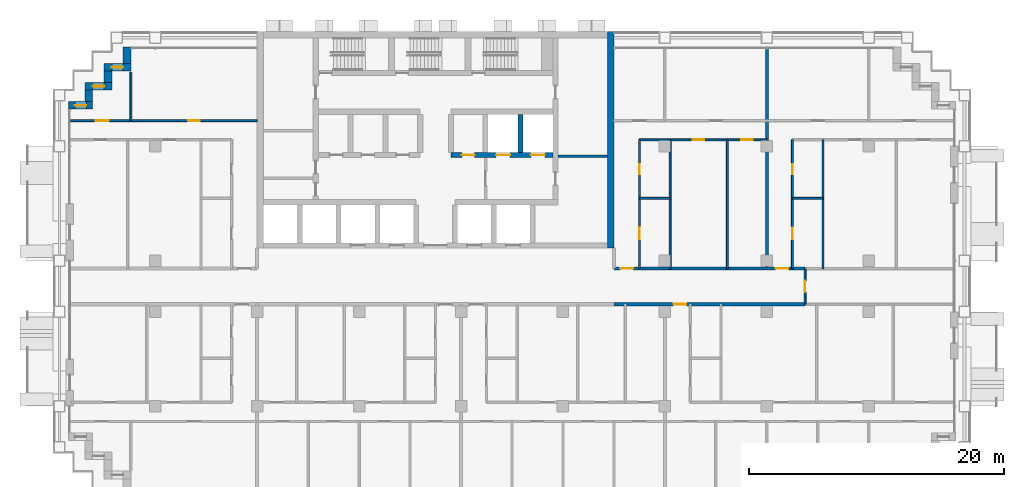
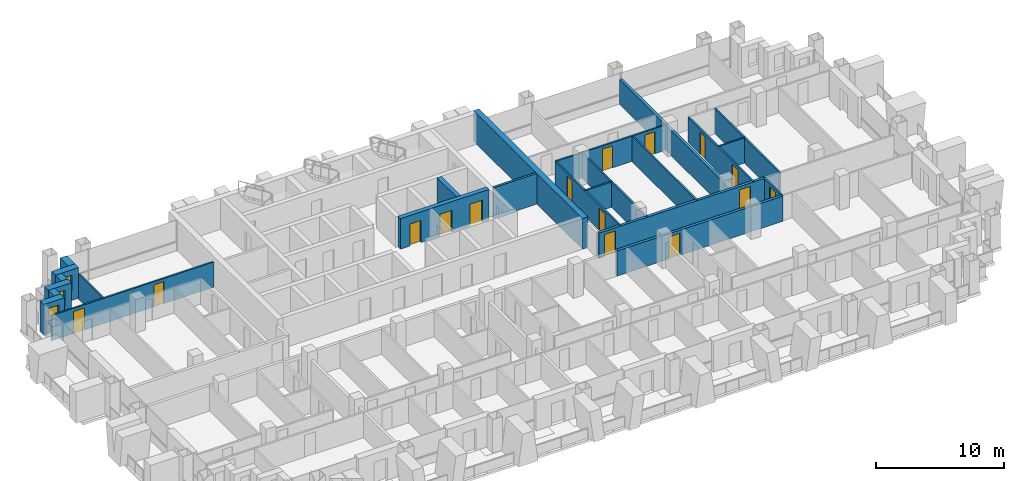
# One storey, part 12 of 18: 24 walls, 15 doors, 3 windows, 18 openings.
"""IFC4 building model written with IfcOpenShell, lengths in metres."""

from ifc_helpers import new_model, si_unit, direction, frame, frame_2d, origin, place, context, subcontext, project, spatial, rectangle, extrude, material, layer, layer_set, type_object, element, fill, save


model = new_model("IFC4")

# Units and contexts
model_context = context("Model", 3, precision=1e-05, world=origin(), true_north=direction((0.0, 1.0)))
body_context = subcontext(model_context, "Body", "Model", "MODEL_VIEW")
ifc_project = project(units=[si_unit("LENGTHUNIT", "METRE"), si_unit("AREAUNIT", "SQUARE_METRE"), si_unit("VOLUMEUNIT", "CUBIC_METRE"), si_unit("PLANEANGLEUNIT", "RADIAN"), si_unit("MASSUNIT", "GRAM", prefix="KILO")], contexts=[model_context])

# Site, building, storey
site_placement = place(None, origin())
site = spatial("IfcSite", under=ifc_project, at=site_placement, CompositionType="ELEMENT")
building_placement = place(site_placement, origin())
building = spatial("IfcBuilding", under=site, at=building_placement, Name="Vidyagriha Tower", CompositionType="ELEMENT")
storey_placement = place(building_placement, frame((0.0, 0.0, 90.300048828125)))
storey = spatial("IfcBuildingStorey", under=building, at=storey_placement, Name="L23", CompositionType="ELEMENT", Elevation=90.300048828125)

# Wall
ifc_material_1 = material(Name="Precast concrete C40/50 with brick facing", Category="concrete")
ifc_layer_1 = layer(ifc_material_1, 0.60009765625)
ifc_layer_set_1 = layer_set([ifc_layer_1], Name="Precast concrete C40/50 with brick facing")
wall_type_1 = type_object("IfcWallType", Name="Brick-faced precast wall 600", PredefinedType="STANDARD", material=ifc_layer_set_1)
wall_1_placement = place(storey_placement, frame((-24.199951171875, 18.780029296875, 0.0), z_axis=(0.0, 0.0, 1.0), x_axis=(0.0, -1.0, 0.0)))
element("IfcWall", 1, at=wall_1_placement, inside=storey, type_object=wall_type_1, Name="Stepped corner wall L23 R10", PredefinedType="STANDARD", context=body_context, shape_type="SweptSolid", body=[
    extrude(rectangle(XDim=1.280029296875, YDim=0.60009765625, at=frame_2d((0.64013671875, 0.0))), origin(), (0.0, 0.0, 1.0), 2.919921875),
])

# Wall, opening, window
wall_2_placement = place(storey_placement, frame((-23.89990234375, 17.199951171875, 0.0), z_axis=(0.0, 0.0, 1.0), x_axis=(-1.0, 0.0, 0.0)))
wall_2 = element("IfcWall", 2, at=wall_2_placement, inside=storey, type_object=wall_type_1, Name="Stepped corner wall L23 R11", PredefinedType="STANDARD", context=body_context, shape_type="SweptSolid", body=[
    extrude(rectangle(XDim=2.10009765625, YDim=0.60009765625, at=frame_2d((1.050048828125, 0.0))), origin(), (0.0, 0.0, 1.0), 2.919921875),
])
opening_1_placement = place(wall_2_placement, frame((0.60009765625, 0.0, 0.89990234375)))
opening_1 = element("IfcOpeningElement", 3, at=opening_1_placement, cuts=wall_2, Name="Opening WN1", PredefinedType="OPENING", context=body_context, shape_type="SweptSolid", body=[
    extrude(rectangle(XDim=0.89990234375, YDim=1.5, at=frame_2d((0.449951171875, 0.75))), frame((0.0, 0.31005859375, 0.0), z_axis=(0.0, -1.0, 0.0), x_axis=(1.0, 0.0, 0.0)), (0.0, 0.0, 1.0), 0.6201171875),
])
ifc_material_2 = material(Name="Aluminium and glass window", Category="aluminium")
window_type = type_object("IfcWindowType", Name="Reveal window 900x1500", PartitioningType="NOTDEFINED", PredefinedType="WINDOW", material=ifc_material_2)
window_1_placement = place(opening_1_placement, origin())
window_1 = element("IfcWindow", 4, at=window_1_placement, inside=storey, type_object=window_type, Name="Reveal window L23 R11", OverallHeight=1.5, OverallWidth=0.89990234375, PartitioningType="SINGLE_PANEL", PredefinedType="WINDOW", context=body_context, shape_type="SweptSolid", body=[
    extrude(rectangle(XDim=0.89990234375, YDim=1.5, at=frame_2d((0.449951171875, 0.75))), frame((0.0, 0.030029296875, 0.0), z_axis=(0.0, -1.0, 0.0), x_axis=(1.0, 0.0, 0.0)), (0.0, 0.0, 1.0), 0.06005859375),
])
fill(opening_1, window_1)

# Wall
wall_3_placement = place(storey_placement, frame((-25.699951171875, 16.89990234375, 0.0), z_axis=(0.0, 0.0, 1.0), x_axis=(0.0, -1.0, 0.0)))
element("IfcWall", 5, at=wall_3_placement, inside=storey, type_object=wall_type_1, Name="Stepped corner wall L23 R12", PredefinedType="STANDARD", context=body_context, shape_type="SweptSolid", body=[
    extrude(rectangle(XDim=0.89990234375, YDim=0.60009765625, at=frame_2d((0.449951171875, 0.0))), origin(), (0.0, 0.0, 1.0), 2.919921875),
])

# Wall, opening, window
wall_4_placement = place(storey_placement, frame((-25.39990234375, 15.699951171875, 0.0), z_axis=(0.0, 0.0, 1.0), x_axis=(-1.0, 0.0, 0.0)))
wall_4 = element("IfcWall", 6, at=wall_4_placement, inside=storey, type_object=wall_type_1, Name="Stepped corner wall L23 R13", PredefinedType="STANDARD", context=body_context, shape_type="SweptSolid", body=[
    extrude(rectangle(XDim=2.10009765625, YDim=0.60009765625, at=frame_2d((1.050048828125, 0.0))), origin(), (0.0, 0.0, 1.0), 2.919921875),
])
opening_2_placement = place(wall_4_placement, frame((0.60009765625, 0.0, 0.89990234375)))
opening_2 = element("IfcOpeningElement", 7, at=opening_2_placement, cuts=wall_4, Name="Opening WN1", PredefinedType="OPENING", context=body_context, shape_type="SweptSolid", body=[
    extrude(rectangle(XDim=0.89990234375, YDim=1.5, at=frame_2d((0.449951171875, 0.75))), frame((0.0, 0.31005859375, 0.0), z_axis=(0.0, -1.0, 0.0), x_axis=(1.0, 0.0, 0.0)), (0.0, 0.0, 1.0), 0.6201171875),
])
window_2_placement = place(opening_2_placement, origin())
window_2 = element("IfcWindow", 8, at=window_2_placement, inside=storey, type_object=window_type, Name="Reveal window L23 R13", OverallHeight=1.5, OverallWidth=0.89990234375, PartitioningType="SINGLE_PANEL", PredefinedType="WINDOW", context=body_context, shape_type="SweptSolid", body=[
    extrude(rectangle(XDim=0.89990234375, YDim=1.5, at=frame_2d((0.449951171875, 0.75))), frame((0.0, 0.030029296875, 0.0), z_axis=(0.0, -1.0, 0.0), x_axis=(1.0, 0.0, 0.0)), (0.0, 0.0, 1.0), 0.06005859375),
])
fill(opening_2, window_2)

# Wall
wall_5_placement = place(storey_placement, frame((-27.199951171875, 15.39990234375, 0.0), z_axis=(0.0, 0.0, 1.0), x_axis=(0.0, -1.0, 0.0)))
element("IfcWall", 9, at=wall_5_placement, inside=storey, type_object=wall_type_1, Name="Stepped corner wall L23 R14", PredefinedType="STANDARD", context=body_context, shape_type="SweptSolid", body=[
    extrude(rectangle(XDim=0.89990234375, YDim=0.60009765625, at=frame_2d((0.449951171875, 0.0))), origin(), (0.0, 0.0, 1.0), 2.919921875),
])

# Wall, opening, window
wall_6_placement = place(storey_placement, frame((-26.89990234375, 14.199951171875, 0.0), z_axis=(0.0, 0.0, 1.0), x_axis=(-1.0, 0.0, 0.0)))
wall_6 = element("IfcWall", 10, at=wall_6_placement, inside=storey, type_object=wall_type_1, Name="Stepped corner wall L23 R15", PredefinedType="STANDARD", context=body_context, shape_type="SweptSolid", body=[
    extrude(rectangle(XDim=1.880126953125, YDim=0.60009765625, at=frame_2d((0.93994140625, 0.0))), origin(), (0.0, 0.0, 1.0), 2.919921875),
])
opening_3_placement = place(wall_6_placement, frame((0.489990234375, 0.0, 0.89990234375)))
opening_3 = element("IfcOpeningElement", 11, at=opening_3_placement, cuts=wall_6, Name="Opening WN1", PredefinedType="OPENING", context=body_context, shape_type="SweptSolid", body=[
    extrude(rectangle(XDim=0.89990234375, YDim=1.5, at=frame_2d((0.449951171875, 0.75))), frame((0.0, 0.31005859375, 0.0), z_axis=(0.0, -1.0, 0.0), x_axis=(1.0, 0.0, 0.0)), (0.0, 0.0, 1.0), 0.6201171875),
])
window_3_placement = place(opening_3_placement, origin())
window_3 = element("IfcWindow", 12, at=window_3_placement, inside=storey, type_object=window_type, Name="Reveal window L23 R15", OverallHeight=1.5, OverallWidth=0.89990234375, PartitioningType="SINGLE_PANEL", PredefinedType="WINDOW", context=body_context, shape_type="SweptSolid", body=[
    extrude(rectangle(XDim=0.89990234375, YDim=1.5, at=frame_2d((0.449951171875, 0.75))), frame((0.0, 0.030029296875, 0.0), z_axis=(0.0, -1.0, 0.0), x_axis=(1.0, 0.0, 0.0)), (0.0, 0.0, 1.0), 0.06005859375),
])
fill(opening_3, window_3)

# Wall, openings, doors
ifc_material_3 = material(Name="Concrete C60/75", Category="concrete")
ifc_layer_2 = layer(ifc_material_3, 0.39990234375)
ifc_layer_set_2 = layer_set([ifc_layer_2], Name="Concrete C60/75")
wall_type_2 = type_object("IfcWallType", Name="Core shear wall 400 mm", PredefinedType="SHEAR", material=ifc_layer_set_2)
wall_7_placement = place(storey_placement, frame((1.199951171875, 10.300048828125, 0.0)))
wall_7 = element("IfcWall", 13, at=wall_7_placement, inside=storey, type_object=wall_type_2, Name="Core row N front wall", PredefinedType="SHEAR", context=body_context, shape_type="SweptSolid", body=[
    extrude(rectangle(XDim=8.0, YDim=0.39990234375, at=frame_2d((4.0, 0.0))), origin(), (0.0, 0.0, 1.0), 2.919921875),
])
opening_4_placement = place(wall_7_placement, frame((3.550048828125, 0.0, 0.0)))
opening_4 = element("IfcOpeningElement", 14, at=opening_4_placement, cuts=wall_7, Name="Opening LD23-05", PredefinedType="OPENING", context=body_context, shape_type="SweptSolid", body=[
    extrude(rectangle(XDim=1.10009765625, YDim=2.10009765625, at=frame_2d((0.550048828125, 1.050048828125))), frame((0.0, 0.2099609375, 0.0), z_axis=(0.0, -1.0, 0.0), x_axis=(1.0, 0.0, 0.0)), (0.0, 0.0, 1.0), 0.419921875),
])
opening_5_placement = place(wall_7_placement, frame((6.283203125, 0.0, 0.0)))
opening_5 = element("IfcOpeningElement", 15, at=opening_5_placement, cuts=wall_7, Name="Opening LD23-06", PredefinedType="OPENING", context=body_context, shape_type="SweptSolid", body=[
    extrude(rectangle(XDim=1.10009765625, YDim=2.10009765625, at=frame_2d((0.550048828125, 1.050048828125))), frame((0.0, 0.2099609375, 0.0), z_axis=(0.0, -1.0, 0.0), x_axis=(1.0, 0.0, 0.0)), (0.0, 0.0, 1.0), 0.419921875),
])
opening_6_placement = place(wall_7_placement, frame((0.86669921875, 0.0, 0.0)))
opening_6 = element("IfcOpeningElement", 16, at=opening_6_placement, cuts=wall_7, Name="Opening D23-05", PredefinedType="OPENING", context=body_context, shape_type="SweptSolid", body=[
    extrude(rectangle(XDim=1.0, YDim=2.10009765625, at=frame_2d((0.5, 1.050048828125))), frame((0.0, 0.2099609375, 0.0), z_axis=(0.0, -1.0, 0.0), x_axis=(1.0, 0.0, 0.0)), (0.0, 0.0, 1.0), 0.419921875),
])
ifc_material_4 = material(Name="Hollow metal door leaf")
door_type_1 = type_object("IfcDoorType", Name="Core room door 1000 x 2100 mm EI 60", OperationType="NOTDEFINED", PredefinedType="DOOR", material=ifc_material_4)
door_1_placement = place(opening_6_placement, frame((1.0, 0.0, 0.0), z_axis=(0.0, 0.0, 1.0), x_axis=(-1.0, 0.0, 0.0)))
door_1 = element("IfcDoor", 17, at=door_1_placement, inside=storey, type_object=door_type_1, Name="Door Communications Room 23.17", OperationType="SINGLE_SWING_LEFT", OverallHeight=2.10009765625, OverallWidth=1.0, PredefinedType="DOOR", context=body_context, shape_type="SweptSolid", body=[
    extrude(rectangle(XDim=1.0, YDim=2.10009765625, at=frame_2d((0.5, 1.050048828125))), frame((0.0, 0.02490234375, 0.0), z_axis=(0.0, -1.0, 0.0), x_axis=(1.0, 0.0, 0.0)), (0.0, 0.0, 1.0), 0.050048828125),
])
fill(opening_6, door_1)
ifc_material_5 = material(Name="Stainless steel sliding door panel", Category="steel")
door_type_2 = type_object("IfcDoorType", Name="Lift landing door 1100 x 2100 mm EI 90", OperationType="NOTDEFINED", PredefinedType="DOOR", material=ifc_material_5)
door_2_placement = place(opening_4_placement, origin())
door_2 = element("IfcDoor", 18, at=door_2_placement, inside=storey, type_object=door_type_2, Name="Landing door FF1 L23", OperationType="SLIDING_TO_LEFT", OverallHeight=2.10009765625, OverallWidth=1.10009765625, PredefinedType="DOOR", context=body_context, shape_type="SweptSolid", body=[
    extrude(rectangle(XDim=1.10009765625, YDim=2.10009765625, at=frame_2d((0.550048828125, 1.050048828125))), frame((0.0, 0.02490234375, 0.0), z_axis=(0.0, -1.0, 0.0), x_axis=(1.0, 0.0, 0.0)), (0.0, 0.0, 1.0), 0.050048828125),
])
fill(opening_4, door_2)
door_3_placement = place(opening_5_placement, origin())
door_3 = element("IfcDoor", 19, at=door_3_placement, inside=storey, type_object=door_type_2, Name="Landing door FF2 L23", OperationType="SLIDING_TO_LEFT", OverallHeight=2.10009765625, OverallWidth=1.10009765625, PredefinedType="DOOR", context=body_context, shape_type="SweptSolid", body=[
    extrude(rectangle(XDim=1.10009765625, YDim=2.10009765625, at=frame_2d((0.550048828125, 1.050048828125))), frame((0.0, 0.02490234375, 0.0), z_axis=(0.0, -1.0, 0.0), x_axis=(1.0, 0.0, 0.0)), (0.0, 0.0, 1.0), 0.050048828125),
])
fill(opening_5, door_3)

# Walls
wall_8_placement = place(storey_placement, frame((6.666748046875, 10.5, 0.0), z_axis=(0.0, 0.0, 1.0), x_axis=(0.0, 1.0, 0.0)))
element("IfcWall", 20, at=wall_8_placement, inside=storey, type_object=wall_type_2, Name="Core bay wall N6", PredefinedType="SHEAR", context=body_context, shape_type="SweptSolid", body=[
    extrude(rectangle(XDim=3.0, YDim=0.39990234375, at=frame_2d((1.5, 0.0))), origin(), (0.0, 0.0, 1.0), 2.919921875),
])
ifc_material_6 = material(Name="Concrete C60/75", Category="concrete")
ifc_layer_3 = layer(ifc_material_6, 0.5)
ifc_layer_set_3 = layer_set([ifc_layer_3], Name="Concrete C60/75")
wall_type_3 = type_object("IfcWallType", Name="Core shear wall 500 mm", PredefinedType="SHEAR", material=ifc_layer_set_3)
wall_9_placement = place(storey_placement, frame((13.75, 3.0, 0.0), z_axis=(0.0, 0.0, 1.0), x_axis=(0.0, 1.0, 0.0)))
element("IfcWall", 21, at=wall_9_placement, inside=storey, type_object=wall_type_3, Name="Core east wall", PredefinedType="SHEAR", context=body_context, shape_type="SweptSolid", body=[
    extrude(rectangle(XDim=17.0, YDim=0.5, at=frame_2d((8.5, 0.0))), origin(), (0.0, 0.0, 1.0), 2.919921875),
])

# Wall, opening, door
ifc_material_7 = material(Name="Fired clay brick masonry", Category="masonry")
ifc_layer_4 = layer(ifc_material_7, 0.25)
ifc_layer_set_4 = layer_set([ifc_layer_4], Name="Fired clay brick masonry")
wall_type_4 = type_object("IfcWallType", Name="Fired clay brick corridor wall 250", PredefinedType="PARTITIONING", material=ifc_layer_set_4)
wall_10_placement = place(storey_placement, frame((29.0, -1.39990234375, 0.0), z_axis=(0.0, 0.0, 1.0), x_axis=(-1.0, 0.0, 0.0)))
wall_10 = element("IfcWall", 22, at=wall_10_placement, inside=storey, type_object=wall_type_4, Name="Wall all-L23-w081", PredefinedType="PARTITIONING", context=body_context, shape_type="SweptSolid", body=[
    extrude(rectangle(XDim=15.0, YDim=0.25, at=frame_2d((7.5, 0.0))), origin(), (0.0, 0.0, 1.0), 2.39990234375),
])
opening_7_placement = place(wall_10_placement, frame((9.31103515625, 0.0, 0.0)))
opening_7 = element("IfcOpeningElement", 23, at=opening_7_placement, cuts=wall_10, Name="Opening D23-52", PredefinedType="OPENING", context=body_context, shape_type="SweptSolid", body=[
    extrude(rectangle(XDim=1.0, YDim=2.10009765625, at=frame_2d((0.5, 1.050048828125))), frame((0.0, 0.135009765625, 0.0), z_axis=(0.0, -1.0, 0.0), x_axis=(1.0, 0.0, 0.0)), (0.0, 0.0, 1.0), 0.27001953125),
])
ifc_material_8 = material(Name="Fire-rated timber door leaf EI 60", Category="wood")
door_type_3 = type_object("IfcDoorType", Name="Flat entrance fire door 1000x2100", OperationType="NOTDEFINED", PredefinedType="DOOR", material=ifc_material_8)
door_4_placement = place(opening_7_placement, origin())
door_4 = element("IfcDoor", 24, at=door_4_placement, inside=storey, type_object=door_type_3, Name="Door D23-52", OperationType="SINGLE_SWING_RIGHT", OverallHeight=2.10009765625, OverallWidth=1.0, PredefinedType="DOOR", context=body_context, shape_type="SweptSolid", body=[
    extrude(rectangle(XDim=1.0, YDim=2.10009765625, at=frame_2d((0.5, 1.050048828125))), frame((0.0, 0.02490234375, 0.0), z_axis=(0.0, -1.0, 0.0), x_axis=(1.0, 0.0, 0.0)), (0.0, 0.0, 1.0), 0.050048828125),
])
fill(opening_7, door_4)

# Wall, openings, doors
wall_11_placement = place(storey_placement, frame((14.0, 1.39990234375, 0.0)))
wall_11 = element("IfcWall", 25, at=wall_11_placement, inside=storey, type_object=wall_type_4, Name="Wall all-L23-w127", PredefinedType="PARTITIONING", context=body_context, shape_type="SweptSolid", body=[
    extrude(rectangle(XDim=15.0, YDim=0.25, at=frame_2d((7.5, 0.0))), origin(), (0.0, 0.0, 1.0), 2.39990234375),
])
opening_8_placement = place(wall_11_placement, frame((0.5, 0.0, 0.0)))
opening_8 = element("IfcOpeningElement", 26, at=opening_8_placement, cuts=wall_11, Name="Opening D23-66", PredefinedType="OPENING", context=body_context, shape_type="SweptSolid", body=[
    extrude(rectangle(XDim=1.0, YDim=2.10009765625, at=frame_2d((0.5, 1.050048828125))), frame((0.0, 0.135009765625, 0.0), z_axis=(0.0, -1.0, 0.0), x_axis=(1.0, 0.0, 0.0)), (0.0, 0.0, 1.0), 0.27001953125),
])
opening_9_placement = place(wall_11_placement, frame((12.68896484375, 0.0, 0.0)))
opening_9 = element("IfcOpeningElement", 27, at=opening_9_placement, cuts=wall_11, Name="Opening D23-73", PredefinedType="OPENING", context=body_context, shape_type="SweptSolid", body=[
    extrude(rectangle(XDim=1.0, YDim=2.10009765625, at=frame_2d((0.5, 1.050048828125))), frame((0.0, 0.135009765625, 0.0), z_axis=(0.0, -1.0, 0.0), x_axis=(1.0, 0.0, 0.0)), (0.0, 0.0, 1.0), 0.27001953125),
])
door_5_placement = place(opening_8_placement, origin())
door_5 = element("IfcDoor", 28, at=door_5_placement, inside=storey, type_object=door_type_3, Name="Door D23-66", OperationType="SINGLE_SWING_LEFT", OverallHeight=2.10009765625, OverallWidth=1.0, PredefinedType="DOOR", context=body_context, shape_type="SweptSolid", body=[
    extrude(rectangle(XDim=1.0, YDim=2.10009765625, at=frame_2d((0.5, 1.050048828125))), frame((0.0, 0.02490234375, 0.0), z_axis=(0.0, -1.0, 0.0), x_axis=(1.0, 0.0, 0.0)), (0.0, 0.0, 1.0), 0.050048828125),
])
fill(opening_8, door_5)
door_6_placement = place(opening_9_placement, origin())
door_6 = element("IfcDoor", 29, at=door_6_placement, inside=storey, type_object=door_type_3, Name="Door D23-73", OperationType="SINGLE_SWING_LEFT", OverallHeight=2.10009765625, OverallWidth=1.0, PredefinedType="DOOR", context=body_context, shape_type="SweptSolid", body=[
    extrude(rectangle(XDim=1.0, YDim=2.10009765625, at=frame_2d((0.5, 1.050048828125))), frame((0.0, 0.02490234375, 0.0), z_axis=(0.0, -1.0, 0.0), x_axis=(1.0, 0.0, 0.0)), (0.0, 0.0, 1.0), 0.050048828125),
])
fill(opening_9, door_6)

# Wall
ifc_material_9 = material(Name="Fired clay brick masonry", Category="masonry")
ifc_layer_5 = layer(ifc_material_9, 0.25)
ifc_layer_set_5 = layer_set([ifc_layer_5], Name="Fired clay brick masonry")
wall_type_5 = type_object("IfcWallType", Name="Fired clay brick demising wall 250", PredefinedType="PARTITIONING", material=ifc_layer_set_5)
wall_12_placement = place(storey_placement, frame((26.0, 18.62109375, 0.0), z_axis=(0.0, 0.0, 1.0), x_axis=(0.0, -1.0, 0.0)))
element("IfcWall", 30, at=wall_12_placement, inside=storey, type_object=wall_type_5, Name="Wall all-L23-w126", PredefinedType="PARTITIONING", context=body_context, shape_type="SweptSolid", body=[
    extrude(rectangle(XDim=17.22119140625, YDim=0.25, at=frame_2d((8.610595703125, 0.0))), origin(), (0.0, 0.0, 1.0), 2.39990234375),
])

# Wall, openings, doors
ifc_material_10 = material(Name="Gypsum board partition")
ifc_layer_6 = layer(ifc_material_10, 0.14990234375)
ifc_layer_set_6 = layer_set([ifc_layer_6], Name="Gypsum board partition")
wall_type_6 = type_object("IfcWallType", Name="Gypsum board partition 150", PredefinedType="PARTITIONING", material=ifc_layer_set_6)
wall_13_placement = place(storey_placement, frame((-28.6201171875, 13.0, 0.0)))
wall_13 = element("IfcWall", 31, at=wall_13_placement, inside=storey, type_object=wall_type_6, Name="Wall all-L23-w092", PredefinedType="PARTITIONING", context=body_context, shape_type="SweptSolid", body=[
    extrude(rectangle(XDim=14.6201171875, YDim=0.14990234375, at=frame_2d((7.31005859375, 0.0))), origin(), (0.0, 0.0, 1.0), 2.39990234375),
])
opening_10_placement = place(wall_13_placement, frame((1.969970703125, 0.0, 0.0)))
opening_10 = element("IfcOpeningElement", 32, at=opening_10_placement, cuts=wall_13, Name="Opening D23-57", PredefinedType="OPENING", context=body_context, shape_type="SweptSolid", body=[
    extrude(rectangle(XDim=1.0, YDim=2.10009765625, at=frame_2d((0.5, 1.050048828125))), frame((0.0, 0.0849609375, 0.0), z_axis=(0.0, -1.0, 0.0), x_axis=(1.0, 0.0, 0.0)), (0.0, 0.0, 1.0), 0.169921875),
])
opening_11_placement = place(wall_13_placement, frame((9.219970703125, 0.0, 0.0)))
opening_11 = element("IfcOpeningElement", 33, at=opening_11_placement, cuts=wall_13, Name="Opening D23-58", PredefinedType="OPENING", context=body_context, shape_type="SweptSolid", body=[
    extrude(rectangle(XDim=0.89990234375, YDim=2.10009765625, at=frame_2d((0.449951171875, 1.050048828125))), frame((0.0, 0.0849609375, 0.0), z_axis=(0.0, -1.0, 0.0), x_axis=(1.0, 0.0, 0.0)), (0.0, 0.0, 1.0), 0.169921875),
])
ifc_material_11 = material(Name="Timber door leaf", Category="wood")
door_type_4 = type_object("IfcDoorType", Name="Room door 1000x2100", OperationType="NOTDEFINED", PredefinedType="DOOR", material=ifc_material_11)
door_7_placement = place(opening_10_placement, origin())
door_7 = element("IfcDoor", 34, at=door_7_placement, inside=storey, type_object=door_type_4, Name="Door D23-57", OperationType="SINGLE_SWING_RIGHT", OverallHeight=2.10009765625, OverallWidth=1.0, PredefinedType="DOOR", context=body_context, shape_type="SweptSolid", body=[
    extrude(rectangle(XDim=1.0, YDim=2.10009765625, at=frame_2d((0.5, 1.050048828125))), frame((0.0, 0.02490234375, 0.0), z_axis=(0.0, -1.0, 0.0), x_axis=(1.0, 0.0, 0.0)), (0.0, 0.0, 1.0), 0.050048828125),
])
fill(opening_10, door_7)
ifc_material_12 = material(Name="Timber door leaf", Category="wood")
door_type_5 = type_object("IfcDoorType", Name="Room door 900x2100", OperationType="NOTDEFINED", PredefinedType="DOOR", material=ifc_material_12)
door_8_placement = place(opening_11_placement, origin())
door_8 = element("IfcDoor", 35, at=door_8_placement, inside=storey, type_object=door_type_5, Name="Door D23-58", OperationType="SINGLE_SWING_RIGHT", OverallHeight=2.10009765625, OverallWidth=0.89990234375, PredefinedType="DOOR", context=body_context, shape_type="SweptSolid", body=[
    extrude(rectangle(XDim=0.89990234375, YDim=2.10009765625, at=frame_2d((0.449951171875, 1.050048828125))), frame((0.0, 0.02490234375, 0.0), z_axis=(0.0, -1.0, 0.0), x_axis=(1.0, 0.0, 0.0)), (0.0, 0.0, 1.0), 0.050048828125),
])
fill(opening_11, door_8)

# Walls
wall_14_placement = place(storey_placement, frame((-23.89990234375, 16.820068359375, 0.0), z_axis=(0.0, 0.0, 1.0), x_axis=(0.0, -1.0, 0.0)))
element("IfcWall", 36, at=wall_14_placement, inside=storey, type_object=wall_type_6, Name="Wall all-L23-w095", PredefinedType="PARTITIONING", context=body_context, shape_type="SweptSolid", body=[
    extrude(rectangle(XDim=3.820068359375, YDim=0.14990234375, at=frame_2d((1.91015625, 0.0))), origin(), (0.0, 0.0, 1.0), 2.39990234375),
])
wall_15_placement = place(storey_placement, frame((16.0, 6.89990234375, 0.0)))
element("IfcWall", 37, at=wall_15_placement, inside=storey, type_object=wall_type_6, Name="Wall all-L23-w101", PredefinedType="PARTITIONING", context=body_context, shape_type="SweptSolid", body=[
    extrude(rectangle(XDim=2.39990234375, YDim=0.14990234375, at=frame_2d((1.199951171875, 0.0))), origin(), (0.0, 0.0, 1.0), 2.39990234375),
])
for number, where, z_axis, x_axis, name in (
    (38, (18.39990234375, 11.5, 0.0), (0.0, 0.0, 1.0), (0.0, -1.0, 0.0), "Wall all-L23-w102"),
    (39, (22.89990234375, 11.5, 0.0), (0.0, 0.0, 1.0), (0.0, -1.0, 0.0), "Wall all-L23-w103"),
):
    element("IfcWall", number, at=place(storey_placement, frame(where, z_axis=z_axis, x_axis=x_axis)), inside=storey, type_object=wall_type_6, Name=name, PredefinedType="PARTITIONING", context=body_context, shape_type="SweptSolid", body=[
        extrude(rectangle(XDim=10.10009765625, YDim=0.14990234375, at=frame_2d((5.050048828125, 0.0))), origin(), (0.0, 0.0, 1.0), 2.39990234375),
    ])

# Wall, openings, doors
wall_16_placement = place(storey_placement, frame((26.0, 11.5, 0.0), z_axis=(0.0, 0.0, 1.0), x_axis=(-1.0, 0.0, 0.0)))
wall_16 = element("IfcWall", 40, at=wall_16_placement, inside=storey, type_object=wall_type_6, Name="Wall all-L23-w104", PredefinedType="PARTITIONING", context=body_context, shape_type="SweptSolid", body=[
    extrude(rectangle(XDim=10.0, YDim=0.14990234375, at=frame_2d((5.0, 0.0))), origin(), (0.0, 0.0, 1.0), 2.39990234375),
])
opening_12_placement = place(wall_16_placement, frame((4.89990234375, 0.0, 0.0)))
opening_12 = element("IfcOpeningElement", 41, at=opening_12_placement, cuts=wall_16, Name="Opening D23-62", PredefinedType="OPENING", context=body_context, shape_type="SweptSolid", body=[
    extrude(rectangle(XDim=0.89990234375, YDim=2.10009765625, at=frame_2d((0.449951171875, 1.050048828125))), frame((0.0, 0.0849609375, 0.0), z_axis=(0.0, -1.0, 0.0), x_axis=(1.0, 0.0, 0.0)), (0.0, 0.0, 1.0), 0.169921875),
])
opening_13_placement = place(wall_16_placement, frame((1.10009765625, 0.0, 0.0)))
opening_13 = element("IfcOpeningElement", 42, at=opening_13_placement, cuts=wall_16, Name="Opening D23-63", PredefinedType="OPENING", context=body_context, shape_type="SweptSolid", body=[
    extrude(rectangle(XDim=0.89990234375, YDim=2.10009765625, at=frame_2d((0.449951171875, 1.050048828125))), frame((0.0, 0.0849609375, 0.0), z_axis=(0.0, -1.0, 0.0), x_axis=(1.0, 0.0, 0.0)), (0.0, 0.0, 1.0), 0.169921875),
])
door_9_placement = place(opening_12_placement, origin())
door_9 = element("IfcDoor", 43, at=door_9_placement, inside=storey, type_object=door_type_5, Name="Door D23-62", OperationType="SINGLE_SWING_RIGHT", OverallHeight=2.10009765625, OverallWidth=0.89990234375, PredefinedType="DOOR", context=body_context, shape_type="SweptSolid", body=[
    extrude(rectangle(XDim=0.89990234375, YDim=2.10009765625, at=frame_2d((0.449951171875, 1.050048828125))), frame((0.0, 0.02490234375, 0.0), z_axis=(0.0, -1.0, 0.0), x_axis=(1.0, 0.0, 0.0)), (0.0, 0.0, 1.0), 0.050048828125),
])
fill(opening_12, door_9)
door_10_placement = place(opening_13_placement, origin())
door_10 = element("IfcDoor", 44, at=door_10_placement, inside=storey, type_object=door_type_5, Name="Door D23-63", OperationType="SINGLE_SWING_RIGHT", OverallHeight=2.10009765625, OverallWidth=0.89990234375, PredefinedType="DOOR", context=body_context, shape_type="SweptSolid", body=[
    extrude(rectangle(XDim=0.89990234375, YDim=2.10009765625, at=frame_2d((0.449951171875, 1.050048828125))), frame((0.0, 0.02490234375, 0.0), z_axis=(0.0, -1.0, 0.0), x_axis=(1.0, 0.0, 0.0)), (0.0, 0.0, 1.0), 0.050048828125),
])
fill(opening_13, door_10)

# Walls
wall_17_placement = place(storey_placement, frame((28.0, 6.89990234375, 0.0)))
element("IfcWall", 45, at=wall_17_placement, inside=storey, type_object=wall_type_6, Name="Wall all-L23-w115", PredefinedType="PARTITIONING", context=body_context, shape_type="SweptSolid", body=[
    extrude(rectangle(XDim=2.39990234375, YDim=0.14990234375, at=frame_2d((1.199951171875, 0.0))), origin(), (0.0, 0.0, 1.0), 2.39990234375),
])
wall_18_placement = place(storey_placement, frame((30.39990234375, 11.5, 0.0), z_axis=(0.0, 0.0, 1.0), x_axis=(0.0, -1.0, 0.0)))
element("IfcWall", 46, at=wall_18_placement, inside=storey, type_object=wall_type_6, Name="Wall all-L23-w116", PredefinedType="PARTITIONING", context=body_context, shape_type="SweptSolid", body=[
    extrude(rectangle(XDim=10.10009765625, YDim=0.14990234375, at=frame_2d((5.050048828125, 0.0))), origin(), (0.0, 0.0, 1.0), 2.39990234375),
])

# Wall, opening, door
wall_19_placement = place(storey_placement, frame((29.0, -1.39990234375, 0.0), z_axis=(0.0, 0.0, 1.0), x_axis=(0.0, 1.0, 0.0)))
wall_19 = element("IfcWall", 47, at=wall_19_placement, inside=storey, type_object=wall_type_6, Name="Wall all-L23-w129", PredefinedType="PARTITIONING", context=body_context, shape_type="SweptSolid", body=[
    extrude(rectangle(XDim=2.7998046875, YDim=0.14990234375, at=frame_2d((1.39990234375, 0.0))), origin(), (0.0, 0.0, 1.0), 2.39990234375),
])
opening_14_placement = place(wall_19_placement, frame((0.949951171875, 0.0, 0.0)))
opening_14 = element("IfcOpeningElement", 48, at=opening_14_placement, cuts=wall_19, Name="Opening D23-74", PredefinedType="OPENING", context=body_context, shape_type="SweptSolid", body=[
    extrude(rectangle(XDim=0.89990234375, YDim=2.10009765625, at=frame_2d((0.449951171875, 1.050048828125))), frame((0.0, 0.0849609375, 0.0), z_axis=(0.0, -1.0, 0.0), x_axis=(1.0, 0.0, 0.0)), (0.0, 0.0, 1.0), 0.169921875),
])
door_11_placement = place(opening_14_placement, origin())
door_11 = element("IfcDoor", 49, at=door_11_placement, inside=storey, type_object=door_type_5, Name="Door D23-74", OperationType="SINGLE_SWING_RIGHT", OverallHeight=2.10009765625, OverallWidth=0.89990234375, PredefinedType="DOOR", context=body_context, shape_type="SweptSolid", body=[
    extrude(rectangle(XDim=0.89990234375, YDim=2.10009765625, at=frame_2d((0.449951171875, 1.050048828125))), frame((0.0, 0.02490234375, 0.0), z_axis=(0.0, -1.0, 0.0), x_axis=(1.0, 0.0, 0.0)), (0.0, 0.0, 1.0), 0.050048828125),
])
fill(opening_14, door_11)

# Wall, openings, doors
ifc_material_13 = material(Name="Moisture resistant gypsum board partition")
ifc_layer_7 = layer(ifc_material_13, 0.14990234375)
ifc_layer_set_7 = layer_set([ifc_layer_7], Name="Moisture resistant gypsum board partition")
wall_type_7 = type_object("IfcWallType", Name="Gypsum board wet-area partition 150", PredefinedType="PARTITIONING", material=ifc_layer_set_7)
wall_20_placement = place(storey_placement, frame((16.0, 11.5, 0.0), z_axis=(0.0, 0.0, 1.0), x_axis=(0.0, -1.0, 0.0)))
wall_20 = element("IfcWall", 50, at=wall_20_placement, inside=storey, type_object=wall_type_7, Name="Wall all-L23-w098", PredefinedType="PARTITIONING", context=body_context, shape_type="SweptSolid", body=[
    extrude(rectangle(XDim=10.10009765625, YDim=0.14990234375, at=frame_2d((5.050048828125, 0.0))), origin(), (0.0, 0.0, 1.0), 2.39990234375),
])
opening_15_placement = place(wall_20_placement, frame((6.89990234375, 0.0, 0.0)))
opening_15 = element("IfcOpeningElement", 51, at=opening_15_placement, cuts=wall_20, Name="Opening D23-60", PredefinedType="OPENING", context=body_context, shape_type="SweptSolid", body=[
    extrude(rectangle(XDim=0.89990234375, YDim=2.10009765625, at=frame_2d((0.449951171875, 1.050048828125))), frame((0.0, 0.0849609375, 0.0), z_axis=(0.0, -1.0, 0.0), x_axis=(1.0, 0.0, 0.0)), (0.0, 0.0, 1.0), 0.169921875),
])
opening_16_placement = place(wall_20_placement, frame((1.89990234375, 0.0, 0.0)))
opening_16 = element("IfcOpeningElement", 52, at=opening_16_placement, cuts=wall_20, Name="Opening D23-61", PredefinedType="OPENING", context=body_context, shape_type="SweptSolid", body=[
    extrude(rectangle(XDim=0.800048828125, YDim=2.10009765625, at=frame_2d((0.39990234375, 1.050048828125))), frame((0.0, 0.0849609375, 0.0), z_axis=(0.0, -1.0, 0.0), x_axis=(1.0, 0.0, 0.0)), (0.0, 0.0, 1.0), 0.169921875),
])
ifc_material_14 = material(Name="Timber door leaf", Category="wood")
door_type_6 = type_object("IfcDoorType", Name="Bathroom door 800x2100", OperationType="NOTDEFINED", PredefinedType="DOOR", material=ifc_material_14)
door_12_placement = place(opening_16_placement, origin())
door_12 = element("IfcDoor", 53, at=door_12_placement, inside=storey, type_object=door_type_6, Name="Door D23-61", OperationType="SINGLE_SWING_RIGHT", OverallHeight=2.10009765625, OverallWidth=0.800048828125, PredefinedType="DOOR", context=body_context, shape_type="SweptSolid", body=[
    extrude(rectangle(XDim=0.800048828125, YDim=2.10009765625, at=frame_2d((0.39990234375, 1.050048828125))), frame((0.0, 0.02490234375, 0.0), z_axis=(0.0, -1.0, 0.0), x_axis=(1.0, 0.0, 0.0)), (0.0, 0.0, 1.0), 0.050048828125),
])
fill(opening_16, door_12)
ifc_material_15 = material(Name="Timber door leaf", Category="wood")
door_type_7 = type_object("IfcDoorType", Name="Kitchen door 900x2100", OperationType="NOTDEFINED", PredefinedType="DOOR", material=ifc_material_15)
door_13_placement = place(opening_15_placement, origin())
door_13 = element("IfcDoor", 54, at=door_13_placement, inside=storey, type_object=door_type_7, Name="Door D23-60", OperationType="SINGLE_SWING_RIGHT", OverallHeight=2.10009765625, OverallWidth=0.89990234375, PredefinedType="DOOR", context=body_context, shape_type="SweptSolid", body=[
    extrude(rectangle(XDim=0.89990234375, YDim=2.10009765625, at=frame_2d((0.449951171875, 1.050048828125))), frame((0.0, 0.02490234375, 0.0), z_axis=(0.0, -1.0, 0.0), x_axis=(1.0, 0.0, 0.0)), (0.0, 0.0, 1.0), 0.050048828125),
])
fill(opening_15, door_13)

wall_21_placement = place(storey_placement, frame((28.0, 11.5, 0.0), z_axis=(0.0, 0.0, 1.0), x_axis=(0.0, -1.0, 0.0)))
wall_21 = element("IfcWall", 55, at=wall_21_placement, inside=storey, type_object=wall_type_7, Name="Wall all-L23-w112", PredefinedType="PARTITIONING", context=body_context, shape_type="SweptSolid", body=[
    extrude(rectangle(XDim=10.10009765625, YDim=0.14990234375, at=frame_2d((5.050048828125, 0.0))), origin(), (0.0, 0.0, 1.0), 2.39990234375),
])
opening_17_placement = place(wall_21_placement, frame((6.89990234375, 0.0, 0.0)))
opening_17 = element("IfcOpeningElement", 56, at=opening_17_placement, cuts=wall_21, Name="Opening D23-67", PredefinedType="OPENING", context=body_context, shape_type="SweptSolid", body=[
    extrude(rectangle(XDim=0.89990234375, YDim=2.10009765625, at=frame_2d((0.449951171875, 1.050048828125))), frame((0.0, 0.0849609375, 0.0), z_axis=(0.0, -1.0, 0.0), x_axis=(1.0, 0.0, 0.0)), (0.0, 0.0, 1.0), 0.169921875),
])
opening_18_placement = place(wall_21_placement, frame((1.89990234375, 0.0, 0.0)))
opening_18 = element("IfcOpeningElement", 57, at=opening_18_placement, cuts=wall_21, Name="Opening D23-68", PredefinedType="OPENING", context=body_context, shape_type="SweptSolid", body=[
    extrude(rectangle(XDim=0.800048828125, YDim=2.10009765625, at=frame_2d((0.39990234375, 1.050048828125))), frame((0.0, 0.0849609375, 0.0), z_axis=(0.0, -1.0, 0.0), x_axis=(1.0, 0.0, 0.0)), (0.0, 0.0, 1.0), 0.169921875),
])
door_14_placement = place(opening_18_placement, origin())
door_14 = element("IfcDoor", 58, at=door_14_placement, inside=storey, type_object=door_type_6, Name="Door D23-68", OperationType="SINGLE_SWING_RIGHT", OverallHeight=2.10009765625, OverallWidth=0.800048828125, PredefinedType="DOOR", context=body_context, shape_type="SweptSolid", body=[
    extrude(rectangle(XDim=0.800048828125, YDim=2.10009765625, at=frame_2d((0.39990234375, 1.050048828125))), frame((0.0, 0.02490234375, 0.0), z_axis=(0.0, -1.0, 0.0), x_axis=(1.0, 0.0, 0.0)), (0.0, 0.0, 1.0), 0.050048828125),
])
fill(opening_18, door_14)
door_15_placement = place(opening_17_placement, origin())
door_15 = element("IfcDoor", 59, at=door_15_placement, inside=storey, type_object=door_type_7, Name="Door D23-67", OperationType="SINGLE_SWING_RIGHT", OverallHeight=2.10009765625, OverallWidth=0.89990234375, PredefinedType="DOOR", context=body_context, shape_type="SweptSolid", body=[
    extrude(rectangle(XDim=0.89990234375, YDim=2.10009765625, at=frame_2d((0.449951171875, 1.050048828125))), frame((0.0, 0.02490234375, 0.0), z_axis=(0.0, -1.0, 0.0), x_axis=(1.0, 0.0, 0.0)), (0.0, 0.0, 1.0), 0.050048828125),
])
fill(opening_17, door_15)

# Wall
ifc_material_16 = material(Name="Blockwork 15 MPa", Category="masonry")
ifc_layer_8 = layer(ifc_material_16, 0.199951171875)
ifc_layer_set_8 = layer_set([ifc_layer_8], Name="Blockwork 15 MPa")
wall_type_8 = type_object("IfcWallType", Name="Service room partition 200 mm", PredefinedType="PARTITIONING", material=ifc_layer_set_8)
wall_22_placement = place(storey_placement, frame((9.60009765625, 10.199951171875, 0.0)))
element("IfcWall", 60, at=wall_22_placement, inside=storey, type_object=wall_type_8, Name="Core room partition E1", PredefinedType="PARTITIONING", context=body_context, shape_type="SweptSolid", body=[
    extrude(rectangle(XDim=3.89990234375, YDim=0.199951171875, at=frame_2d((1.949951171875, 0.0))), origin(), (0.0, 0.0, 1.0), 2.919921875),
])

save(model, "model.ifc")
